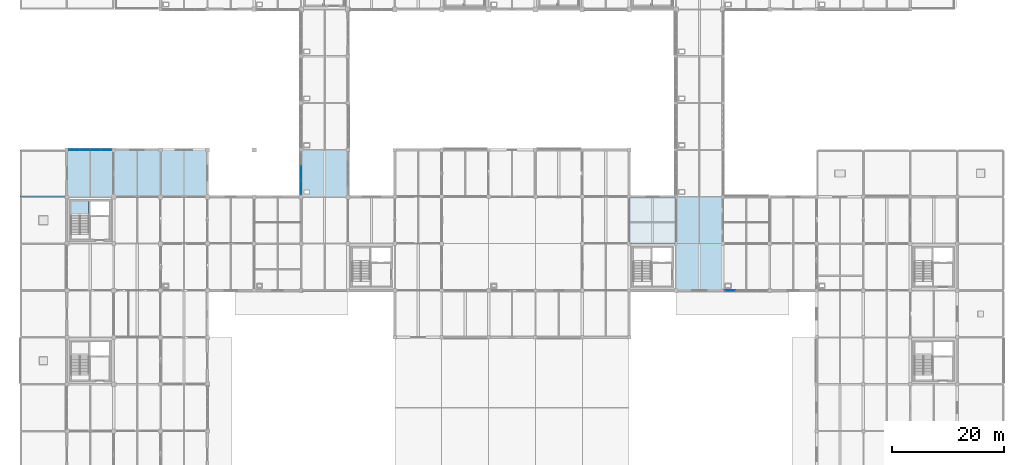
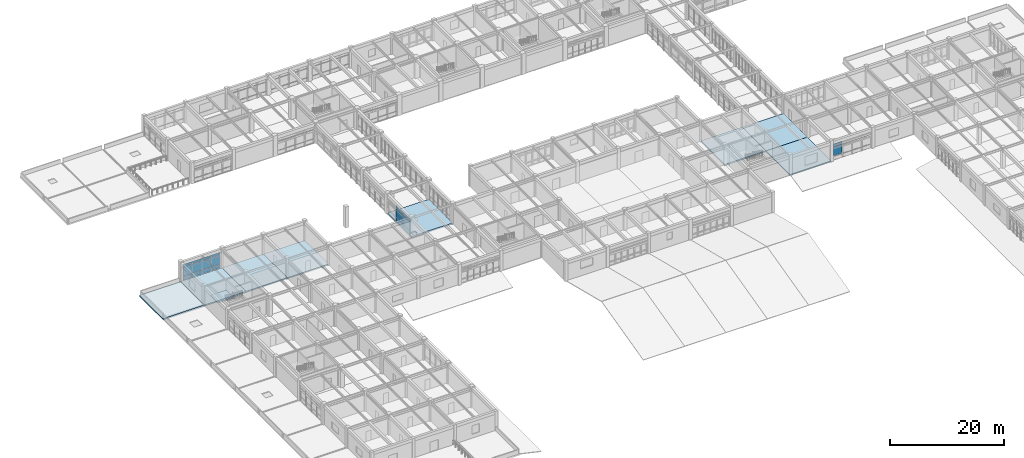
# One storey, part 45 of 78: 20 plates, 9 slabs, 4 elements without a shape of their own.
"""IFC4 building model written with IfcOpenShell, lengths in metres."""

import ifcopenshell
import ifcopenshell.guid

model = None  # the IFC model being written
_history = None  # IfcOwnerHistory: only IFC2X3 demands one
_inside = {}  # id of a spatial element -> (the spatial element, [elements in it])
_under = {}  # id of a project, library or spatial element -> (it, [spatial elements below it])
_declared = {}  # id of a project -> (the project, [libraries it declares])
_typed = {}  # id of a type object -> (the type object, [elements of that type])
_made_of = {}  # id of a material, layer set ... -> (it, [elements and type objects made of it])


def new_model(schema):
    """Start an empty IFC model of exactly this schema.

    Asked for "IFC4X3", IfcOpenShell would pick the latest addendum, in which some entities
    have other attributes; the version numbers below select the first issue.
    IFC2X3 requires an IfcOwnerHistory on every rooted entity: one is made here for all.
    """
    global model, _history
    if schema == "IFC4X3":
        model = ifcopenshell.file(schema_version=(4, 3, 0, 0))
    else:
        model = ifcopenshell.file(schema=schema)
    _inside.clear()
    _under.clear()
    _declared.clear()
    _typed.clear()
    _made_of.clear()
    _history = None
    if model.schema == "IFC2X3":
        org = make("IfcOrganization", Name="unknown")
        user = make(
            "IfcPersonAndOrganization",
            ThePerson=make("IfcPerson", FamilyName="unknown"),
            TheOrganization=org,
        )
        app = make(
            "IfcApplication",
            ApplicationDeveloper=org,
            Version="unknown",
            ApplicationFullName="unknown",
            ApplicationIdentifier="unknown",
        )
        _history = make(
            "IfcOwnerHistory",
            OwningUser=user,
            OwningApplication=app,
            ChangeAction="ADDED",
            CreationDate=0,
        )
    return model


def make(cls, **values):
    """One entity of the class cls with the attributes given. An attribute that is None is left unset."""
    return model.create_entity(
        cls, **{name: value for name, value in values.items() if value is not None}
    )


def rooted(cls, **values):
    """An entity with a GlobalId (a new one), such as an element, a storey or a relation."""
    return make(cls, GlobalId=ifcopenshell.guid.new(), OwnerHistory=_history, **values)


def si_unit(unit_type, name, prefix=None):
    """IfcSIUnit, for example si_unit("LENGTHUNIT", "METRE", prefix="MILLI")."""
    return make("IfcSIUnit", UnitType=unit_type, Prefix=prefix, Name=name)


def assignment(units):
    """IfcUnitAssignment: the units of a project."""
    return None if units is None else make("IfcUnitAssignment", Units=units)


def point(xyz):
    """IfcCartesianPoint."""
    return None if xyz is None else make("IfcCartesianPoint", Coordinates=xyz)


def direction(xyz):
    """IfcDirection."""
    return None if xyz is None else make("IfcDirection", DirectionRatios=xyz)


def frame(location, z_axis=None, x_axis=None):
    """IfcAxis2Placement3D, a coordinate frame: its origin and axes. An axis left out is left unset."""
    return make(
        "IfcAxis2Placement3D",
        Location=point(location),
        Axis=direction(z_axis),
        RefDirection=direction(x_axis),
    )


def frame_2d(location, x_axis=None):
    """IfcAxis2Placement2D, a coordinate frame in the plane: its origin and x axis."""
    return make(
        "IfcAxis2Placement2D", Location=point(location), RefDirection=direction(x_axis)
    )


def origin():
    """The frame at (0, 0, 0) with its axes left unset."""
    return frame((0.0, 0.0, 0.0))


def origin_2d():
    """The frame at (0, 0) in the plane with its x axis left unset."""
    return frame_2d((0.0, 0.0))


def place(relative_to, where):
    """IfcLocalPlacement: puts the frame where relative to a parent placement (None: the world)."""
    return make(
        "IfcLocalPlacement", PlacementRelTo=relative_to, RelativePlacement=where
    )


def context(
    kind, dimensions, precision=None, world=None, true_north=None, identifier=None
):
    """IfcGeometricRepresentationContext, for example the 3D "Model" context."""
    return make(
        "IfcGeometricRepresentationContext",
        ContextIdentifier=identifier,
        ContextType=kind,
        CoordinateSpaceDimension=dimensions,
        Precision=precision,
        WorldCoordinateSystem=world,
        TrueNorth=true_north,
    )


def subcontext(parent, identifier, kind, view, scale=None):
    """IfcGeometricRepresentationSubContext, for example "Body" below "Model"."""
    return make(
        "IfcGeometricRepresentationSubContext",
        ContextIdentifier=identifier,
        ContextType=kind,
        ParentContext=parent,
        TargetScale=scale,
        TargetView=view,
    )


def project(units=None, contexts=None):
    """IfcProject with its units and contexts."""
    return rooted(
        "IfcProject",
        Name="project",
        RepresentationContexts=contexts,
        UnitsInContext=assignment(units),
    )


def spatial(cls, under=None, at=None, **own):
    """A site, building, storey or space (cls), placed at a placement, below another one or the project."""
    s = rooted(cls, ObjectPlacement=at, **own)
    if under is not None:
        _under.setdefault(under.id(), (under, []))[1].append(s)
    return s


def polyline(points):
    """IfcPolyline through the points."""
    return make("IfcPolyline", Points=[point(p) for p in points])


def profile(cls, at=None, kind="AREA", **sizes):
    """A parametric profile (cls). Its sizes go by their IFC names, for example OverallWidth=200.0."""
    return make(cls, ProfileType=kind, Position=at, **sizes)


def rectangle(**sizes):
    """IfcRectangleProfileDef."""
    return profile("IfcRectangleProfileDef", **sizes)


def outline(outer, holes=None, kind="AREA"):
    """IfcArbitraryClosedProfileDef: a profile drawn as a closed curve; with holes, ...WithVoids."""
    if holes is None:
        return make("IfcArbitraryClosedProfileDef", ProfileType=kind, OuterCurve=outer)
    return make(
        "IfcArbitraryProfileDefWithVoids",
        ProfileType=kind,
        OuterCurve=outer,
        InnerCurves=holes,
    )


def extrude(swept, where, along, depth):
    """IfcExtrudedAreaSolid: the profile swept, set in the frame where, extruded along a direction by depth."""
    return make(
        "IfcExtrudedAreaSolid",
        SweptArea=swept,
        Position=where,
        ExtrudedDirection=direction(along),
        Depth=depth,
    )


def shape(context_of_items, identifier, shape_type, items):
    """IfcShapeRepresentation: the items that make up one representation, for example the "Body"."""
    return make(
        "IfcShapeRepresentation",
        ContextOfItems=context_of_items,
        RepresentationIdentifier=identifier,
        RepresentationType=shape_type,
        Items=items,
    )


def material(Name=None, Category=None):
    """IfcMaterial."""
    return make("IfcMaterial", Name=Name, Category=Category)


def layer(
    of_material, thickness, ventilated=None, Name=None, Category=None, Priority=None
):
    """IfcMaterialLayer: one layer of a wall or slab, of a material (None: an air gap)."""
    return make(
        "IfcMaterialLayer",
        Material=of_material,
        LayerThickness=thickness,
        IsVentilated=ventilated,
        Name=Name,
        Category=Category,
        Priority=Priority,
    )


def layer_set(layers, Name=None):
    """IfcMaterialLayerSet."""
    return make("IfcMaterialLayerSet", MaterialLayers=layers, LayerSetName=Name)


def made_of(thing, what):
    """Note that an element or type object is made of a material, layer set ...; save() writes the relation."""
    if what is not None:
        _made_of.setdefault(what.id(), (what, []))[1].append(thing)
    return thing


def type_object(cls, material=None, **own):
    """A type object (cls), such as IfcWallType, which elements share."""
    return made_of(rooted(cls, **own), material)


def element(
    cls,
    number,
    at=None,
    inside=None,
    cuts=None,
    type_object=None,
    material=None,
    context=None,
    identifier="Body",
    shape_type=None,
    held_by="IfcProductDefinitionShape",
    body=None,
    shapes=None,
    **own,
):
    """One element of the class cls, such as IfcWall. Its Tag is "e" and its number.

    at: its placement. inside: the storey or other place that contains it. cuts: it is an
    opening in that element (IfcRelVoidsElement). A single representation is given by context,
    identifier, shape_type and body (its items); several are given by shapes. held_by: the class
    of the entity that holds the representations. save() writes the other relations.
    """
    e = rooted(cls, Tag="e%d" % number, ObjectPlacement=at, **own)
    if body is not None:
        shapes = [shape(context, identifier, shape_type, body)]
    if shapes is not None:
        e.Representation = make(held_by, Representations=shapes)
    if inside is not None:
        _inside.setdefault(inside.id(), (inside, []))[1].append(e)
    if cuts is not None:
        rooted(
            "IfcRelVoidsElement", RelatingBuildingElement=cuts, RelatedOpeningElement=e
        )
    if type_object is not None:
        _typed.setdefault(type_object.id(), (type_object, []))[1].append(e)
    return made_of(e, material)


def aggregate(whole, parts):
    """IfcRelAggregates: a whole, such as a stair, and the parts it consists of."""
    return rooted("IfcRelAggregates", RelatingObject=whole, RelatedObjects=parts)


def save(model, path):
    """Write the relations noted so far, then the file.

    IfcRelAggregates (storeys below a building ...), IfcRelContainedInSpatialStructure (elements
    in a storey), IfcRelDefinesByType, IfcRelAssociatesMaterial and IfcRelDeclares: one each for
    every whole, place, type object, material and project.
    """
    for whole, parts in _under.values():
        aggregate(whole, parts)
    for where, things in _inside.values():
        rooted(
            "IfcRelContainedInSpatialStructure",
            RelatedElements=things,
            RelatingStructure=where,
        )
    for kind, things in _typed.values():
        rooted("IfcRelDefinesByType", RelatedObjects=things, RelatingType=kind)
    for what, things in _made_of.values():
        rooted("IfcRelAssociatesMaterial", RelatedObjects=things, RelatingMaterial=what)
    for by, libraries in _declared.values():
        rooted("IfcRelDeclares", RelatingContext=by, RelatedDefinitions=libraries)
    model.write(path)


model = new_model("IFC4")

# Units and contexts
model_context = context("Model", 3, precision=1e-05, world=origin(), true_north=direction((0.0, 1.0)))
body_context = subcontext(model_context, "Body", "Model", "MODEL_VIEW")
ifc_project = project(units=[si_unit("LENGTHUNIT", "METRE"), si_unit("AREAUNIT", "SQUARE_METRE"), si_unit("VOLUMEUNIT", "CUBIC_METRE"), si_unit("PLANEANGLEUNIT", "RADIAN"), si_unit("MASSUNIT", "GRAM", prefix="KILO")], contexts=[model_context])

# Site, building, storey
site_placement = place(None, origin())
site = spatial("IfcSite", under=ifc_project, at=site_placement, CompositionType="ELEMENT")
building_placement = place(site_placement, origin())
building = spatial("IfcBuilding", under=site, at=building_placement, Name="Porcellanite Civic Hall", CompositionType="ELEMENT")
storey_placement = place(building_placement, frame((0.0, 0.0, 10.260009765625)))
storey = spatial("IfcBuildingStorey", under=building, at=storey_placement, Name="L02", CompositionType="ELEMENT", Elevation=10.260009765625)

# Curtain wall, plates
ifc_material_1 = material(Name="Anodised aluminium and solar laminated glass", Category="aluminium")
ifc_layer_1 = layer(ifc_material_1, 0.179931640625)
ifc_layer_set_1 = layer_set([ifc_layer_1], Name="Anodised aluminium and solar laminated glass")
curtain_wall_type_1 = type_object("IfcCurtainWallType", Name="CW-SYS06", PredefinedType="NOTDEFINED", material=ifc_layer_set_1)
curtain_wall_1_placement = place(storey_placement, origin())
curtain_wall_1 = element("IfcCurtainWall", 1, at=curtain_wall_1_placement, inside=storey, type_object=curtain_wall_type_1, Name="Curtain wall CW-170", PredefinedType="NOTDEFINED")
ifc_material_2 = material(Name="Cyclone laminated solar-control low-E glass", Category="glass")
ifc_layer_2 = layer(ifc_material_2, 0.02392578125)
ifc_layer_set_2 = layer_set([ifc_layer_2], Name="Cyclone laminated solar-control low-E glass")
plate_type_1 = type_object("IfcPlateType", Name="CWP-01", PredefinedType="CURTAIN_PANEL", material=ifc_layer_set_2)
plate_1_placement = place(storey_placement, frame((127.288818359375, 50.39990234375, 0.925048828125), z_axis=(0.0, 0.0, 1.0), x_axis=(-1.0, 0.0, 0.0)))
plate_1 = element("IfcPlate", 2, at=plate_1_placement, type_object=plate_type_1, Name="CW-170 panel 4.2", PredefinedType="CURTAIN_PANEL", context=body_context, shape_type="SweptSolid", body=[
    extrude(rectangle(XDim=1.845703125, YDim=0.02392578125, at=origin_2d()), origin(), (0.0, 0.0, 1.0), 1.93994140625),
])
plate_2_placement = place(storey_placement, frame((127.288818359375, 50.39990234375, 2.9150390625), z_axis=(0.0, 0.0, 1.0), x_axis=(-1.0, 0.0, 0.0)))
plate_2 = element("IfcPlate", 3, at=plate_2_placement, type_object=plate_type_1, Name="CW-170 panel 4.3", PredefinedType="CURTAIN_PANEL", context=body_context, shape_type="SweptSolid", body=[
    extrude(rectangle(XDim=1.845703125, YDim=0.02392578125, at=origin_2d()), origin(), (0.0, 0.0, 1.0), 0.574951171875),
])
aggregate(curtain_wall_1, [plate_1, plate_2])

ifc_material_3 = material(Name="Anodised aluminium and solar laminated glass", Category="aluminium")
ifc_layer_3 = layer(ifc_material_3, 0.179931640625)
ifc_layer_set_3 = layer_set([ifc_layer_3], Name="Anodised aluminium and solar laminated glass")
curtain_wall_type_2 = type_object("IfcCurtainWallType", Name="CW-SYS05", PredefinedType="NOTDEFINED", material=ifc_layer_set_3)
curtain_wall_2_placement = place(storey_placement, origin())
curtain_wall_2 = element("IfcCurtainWall", 4, at=curtain_wall_2_placement, inside=storey, type_object=curtain_wall_type_2, Name="Curtain wall CW-134", PredefinedType="NOTDEFINED")
ifc_material_4 = material(Name="Cyclone laminated solar-control low-E glass", Category="glass")
ifc_layer_4 = layer(ifc_material_4, 0.028076171875)
ifc_layer_set_4 = layer_set([ifc_layer_4], Name="Cyclone laminated solar-control low-E glass")
plate_type_2 = type_object("IfcPlateType", Name="CWP-03", PredefinedType="CURTAIN_PANEL", material=ifc_layer_set_4)
plate_3_placement = place(storey_placement, frame((9.752685546875, 75.60009765625, 0.06005859375), z_axis=(0.0, 0.0, 1.0), x_axis=(1.0, 0.0, 0.0)))
plate_3 = element("IfcPlate", 5, at=plate_3_placement, type_object=plate_type_2, Name="CW-134 panel 1.1", PredefinedType="CURTAIN_PANEL", context=body_context, shape_type="SweptSolid", body=[
    extrude(rectangle(XDim=1.813232421875, YDim=0.028076171875, at=origin_2d()), origin(), (0.0, 0.0, 1.0), 0.81005859375),
])
plate_4_placement = place(storey_placement, frame((9.752685546875, 75.60009765625, 0.93017578125), z_axis=(0.0, 0.0, 1.0), x_axis=(1.0, 0.0, 0.0)))
plate_4 = element("IfcPlate", 6, at=plate_4_placement, type_object=plate_type_2, Name="CW-134 panel 1.2", PredefinedType="CURTAIN_PANEL", context=body_context, shape_type="SweptSolid", body=[
    extrude(rectangle(XDim=1.813232421875, YDim=0.028076171875, at=origin_2d()), origin(), (0.0, 0.0, 1.0), 1.929931640625),
])
plate_5_placement = place(storey_placement, frame((9.752685546875, 75.60009765625, 2.919921875), z_axis=(0.0, 0.0, 1.0), x_axis=(1.0, 0.0, 0.0)))
plate_5 = element("IfcPlate", 7, at=plate_5_placement, type_object=plate_type_2, Name="CW-134 panel 1.3", PredefinedType="CURTAIN_PANEL", context=body_context, shape_type="SweptSolid", body=[
    extrude(rectangle(XDim=1.813232421875, YDim=0.028076171875, at=origin_2d()), origin(), (0.0, 0.0, 1.0), 0.56005859375),
])
plate_6_placement = place(storey_placement, frame((11.6533203125, 75.60009765625, 0.06005859375), z_axis=(0.0, 0.0, 1.0), x_axis=(1.0, 0.0, 0.0)))
plate_6 = element("IfcPlate", 8, at=plate_6_placement, type_object=plate_type_2, Name="CW-134 panel 2.1", PredefinedType="CURTAIN_PANEL", context=body_context, shape_type="SweptSolid", body=[
    extrude(rectangle(XDim=1.84814453125, YDim=0.028076171875, at=origin_2d()), origin(), (0.0, 0.0, 1.0), 0.81005859375),
])
plate_7_placement = place(storey_placement, frame((11.6533203125, 75.60009765625, 0.93017578125), z_axis=(0.0, 0.0, 1.0), x_axis=(1.0, 0.0, 0.0)))
plate_7 = element("IfcPlate", 9, at=plate_7_placement, type_object=plate_type_2, Name="CW-134 panel 2.2", PredefinedType="CURTAIN_PANEL", context=body_context, shape_type="SweptSolid", body=[
    extrude(rectangle(XDim=1.84814453125, YDim=0.028076171875, at=origin_2d()), origin(), (0.0, 0.0, 1.0), 1.929931640625),
])
plate_8_placement = place(storey_placement, frame((11.6533203125, 75.60009765625, 2.919921875), z_axis=(0.0, 0.0, 1.0), x_axis=(1.0, 0.0, 0.0)))
plate_8 = element("IfcPlate", 10, at=plate_8_placement, type_object=plate_type_2, Name="CW-134 panel 2.3", PredefinedType="CURTAIN_PANEL", context=body_context, shape_type="SweptSolid", body=[
    extrude(rectangle(XDim=1.84814453125, YDim=0.028076171875, at=origin_2d()), origin(), (0.0, 0.0, 1.0), 0.56005859375),
])
plate_9_placement = place(storey_placement, frame((13.571533203125, 75.60009765625, 0.06005859375), z_axis=(0.0, 0.0, 1.0), x_axis=(1.0, 0.0, 0.0)))
plate_9 = element("IfcPlate", 11, at=plate_9_placement, type_object=plate_type_2, Name="CW-134 panel 3.1", PredefinedType="CURTAIN_PANEL", context=body_context, shape_type="SweptSolid", body=[
    extrude(rectangle(XDim=1.84814453125, YDim=0.028076171875, at=origin_2d()), origin(), (0.0, 0.0, 1.0), 0.81005859375),
])
plate_10_placement = place(storey_placement, frame((13.571533203125, 75.60009765625, 0.93017578125), z_axis=(0.0, 0.0, 1.0), x_axis=(1.0, 0.0, 0.0)))
plate_10 = element("IfcPlate", 12, at=plate_10_placement, type_object=plate_type_2, Name="CW-134 panel 3.2", PredefinedType="CURTAIN_PANEL", context=body_context, shape_type="SweptSolid", body=[
    extrude(rectangle(XDim=1.84814453125, YDim=0.028076171875, at=origin_2d()), origin(), (0.0, 0.0, 1.0), 1.929931640625),
])
plate_11_placement = place(storey_placement, frame((13.571533203125, 75.60009765625, 2.919921875), z_axis=(0.0, 0.0, 1.0), x_axis=(1.0, 0.0, 0.0)))
plate_11 = element("IfcPlate", 13, at=plate_11_placement, type_object=plate_type_2, Name="CW-134 panel 3.3", PredefinedType="CURTAIN_PANEL", context=body_context, shape_type="SweptSolid", body=[
    extrude(rectangle(XDim=1.84814453125, YDim=0.028076171875, at=origin_2d()), origin(), (0.0, 0.0, 1.0), 0.56005859375),
])
plate_12_placement = place(storey_placement, frame((15.472412109375, 75.60009765625, 0.06005859375), z_axis=(0.0, 0.0, 1.0), x_axis=(1.0, 0.0, 0.0)))
plate_12 = element("IfcPlate", 14, at=plate_12_placement, type_object=plate_type_2, Name="CW-134 panel 4.1", PredefinedType="CURTAIN_PANEL", context=body_context, shape_type="SweptSolid", body=[
    extrude(rectangle(XDim=1.813232421875, YDim=0.028076171875, at=origin_2d()), origin(), (0.0, 0.0, 1.0), 0.81005859375),
])
plate_13_placement = place(storey_placement, frame((15.472412109375, 75.60009765625, 0.93017578125), z_axis=(0.0, 0.0, 1.0), x_axis=(1.0, 0.0, 0.0)))
plate_13 = element("IfcPlate", 15, at=plate_13_placement, type_object=plate_type_2, Name="CW-134 panel 4.2", PredefinedType="CURTAIN_PANEL", context=body_context, shape_type="SweptSolid", body=[
    extrude(rectangle(XDim=1.813232421875, YDim=0.028076171875, at=origin_2d()), origin(), (0.0, 0.0, 1.0), 1.929931640625),
])
plate_14_placement = place(storey_placement, frame((15.472412109375, 75.60009765625, 2.919921875), z_axis=(0.0, 0.0, 1.0), x_axis=(1.0, 0.0, 0.0)))
plate_14 = element("IfcPlate", 16, at=plate_14_placement, type_object=plate_type_2, Name="CW-134 panel 4.3", PredefinedType="CURTAIN_PANEL", context=body_context, shape_type="SweptSolid", body=[
    extrude(rectangle(XDim=1.813232421875, YDim=0.028076171875, at=origin_2d()), origin(), (0.0, 0.0, 1.0), 0.56005859375),
])
aggregate(curtain_wall_2, [plate_3, plate_4, plate_5, plate_6, plate_7, plate_8, plate_9, plate_10, plate_11, plate_12, plate_13, plate_14])

ifc_material_5 = material(Name="Anodised aluminium and solar laminated glass", Category="aluminium")
ifc_layer_5 = layer(ifc_material_5, 0.179931640625)
ifc_layer_set_5 = layer_set([ifc_layer_5], Name="Anodised aluminium and solar laminated glass")
curtain_wall_type_3 = type_object("IfcCurtainWallType", Name="CW-SYS08", PredefinedType="NOTDEFINED", material=ifc_layer_set_5)
curtain_wall_3_placement = place(storey_placement, origin())
curtain_wall_3 = element("IfcCurtainWall", 17, at=curtain_wall_3_placement, inside=storey, type_object=curtain_wall_type_3, Name="Curtain wall CW-142", PredefinedType="NOTDEFINED")
plate_15_placement = place(storey_placement, frame((50.39990234375, 68.874755859375, 0.070068359375), z_axis=(0.0, 0.0, 1.0), x_axis=(0.0, 1.0, 0.0)))
plate_15 = element("IfcPlate", 18, at=plate_15_placement, type_object=plate_type_2, Name="CW-142 panel 1.1", PredefinedType="CURTAIN_PANEL", context=body_context, shape_type="SweptSolid", body=[
    extrude(rectangle(XDim=2.437744140625, YDim=0.028076171875, at=origin_2d()), origin(), (0.0, 0.0, 1.0), 0.794921875),
])
plate_16_placement = place(storey_placement, frame((50.39990234375, 68.874755859375, 0.93505859375), z_axis=(0.0, 0.0, 1.0), x_axis=(0.0, 1.0, 0.0)))
plate_16 = element("IfcPlate", 19, at=plate_16_placement, type_object=plate_type_2, Name="CW-142 panel 1.2", PredefinedType="CURTAIN_PANEL", context=body_context, shape_type="SweptSolid", body=[
    extrude(rectangle(XDim=2.437744140625, YDim=0.028076171875, at=origin_2d()), origin(), (0.0, 0.0, 1.0), 1.919921875),
])
plate_17_placement = place(storey_placement, frame((50.39990234375, 68.874755859375, 2.925048828125), z_axis=(0.0, 0.0, 1.0), x_axis=(0.0, 1.0, 0.0)))
plate_17 = element("IfcPlate", 20, at=plate_17_placement, type_object=plate_type_2, Name="CW-142 panel 1.3", PredefinedType="CURTAIN_PANEL", context=body_context, shape_type="SweptSolid", body=[
    extrude(rectangle(XDim=2.437744140625, YDim=0.028076171875, at=origin_2d()), origin(), (0.0, 0.0, 1.0), 0.544921875),
])
plate_18_placement = place(storey_placement, frame((50.39990234375, 71.41259765625, 0.070068359375), z_axis=(0.0, 0.0, 1.0), x_axis=(0.0, 1.0, 0.0)))
plate_18 = element("IfcPlate", 21, at=plate_18_placement, type_object=plate_type_2, Name="CW-142 panel 2.1", PredefinedType="CURTAIN_PANEL", context=body_context, shape_type="SweptSolid", body=[
    extrude(rectangle(XDim=2.477783203125, YDim=0.028076171875, at=origin_2d()), origin(), (0.0, 0.0, 1.0), 0.794921875),
])
plate_19_placement = place(storey_placement, frame((50.39990234375, 71.41259765625, 0.93505859375), z_axis=(0.0, 0.0, 1.0), x_axis=(0.0, 1.0, 0.0)))
plate_19 = element("IfcPlate", 22, at=plate_19_placement, type_object=plate_type_2, Name="CW-142 panel 2.2", PredefinedType="CURTAIN_PANEL", context=body_context, shape_type="SweptSolid", body=[
    extrude(rectangle(XDim=2.477783203125, YDim=0.028076171875, at=origin_2d()), origin(), (0.0, 0.0, 1.0), 1.919921875),
])
plate_20_placement = place(storey_placement, frame((50.39990234375, 71.41259765625, 2.925048828125), z_axis=(0.0, 0.0, 1.0), x_axis=(0.0, 1.0, 0.0)))
plate_20 = element("IfcPlate", 23, at=plate_20_placement, type_object=plate_type_2, Name="CW-142 panel 2.3", PredefinedType="CURTAIN_PANEL", context=body_context, shape_type="SweptSolid", body=[
    extrude(rectangle(XDim=2.477783203125, YDim=0.028076171875, at=origin_2d()), origin(), (0.0, 0.0, 1.0), 0.544921875),
])
aggregate(curtain_wall_3, [plate_15, plate_16, plate_17, plate_18, plate_19, plate_20])

# Stair, slab
ifc_material_6 = material(Name="Concrete N40 (40 MPa)", Category="concrete")
stair_type = type_object("IfcStairType", Name="STR-HT25", PredefinedType="HALF_TURN_STAIR", material=ifc_material_6)
stair_placement = place(storey_placement, origin())
stair = element("IfcStair", 24, at=stair_placement, inside=storey, type_object=stair_type, Name="Fire stair ST-02 L02", PredefinedType="HALF_TURN_STAIR")
ifc_material_7 = material(Name="Concrete N40 (40 MPa)", Category="concrete")
ifc_layer_6 = layer(ifc_material_7, 0.179931640625)
ifc_layer_set_6 = layer_set([ifc_layer_6], Name="Concrete N40 (40 MPa)")
slab_type_1 = type_object("IfcSlabType", Name="LND-18", PredefinedType="LANDING", material=ifc_layer_set_6)
slab_1_placement = place(storey_placement, frame((0.0, 0.0, 2.159912109375)))
slab_1 = element("IfcSlab", 25, at=slab_1_placement, type_object=slab_type_1, Name="ST-02 landing 1", PredefinedType="LANDING", context=body_context, shape_type="SweptSolid", body=[
    extrude(outline(polyline([(9.160400390625, 63.824951171875), (12.319580078125, 63.824951171875), (12.319580078125, 66.439453125), (9.160400390625, 66.439453125), (9.160400390625, 63.824951171875)])), origin(), (0.0, 0.0, 1.0), 0.18017578125),
])
aggregate(stair, [slab_1])

# Slabs
ifc_material_8 = material(Name="Concrete N40 (40 MPa)", Category="concrete")
ifc_layer_7 = layer(ifc_material_8, 0.280029296875)
ifc_layer_set_7 = layer_set([ifc_layer_7], Name="Concrete N40 (40 MPa)")
slab_type_2 = type_object("IfcSlabType", Name="SL-FL280", PredefinedType="FLOOR", material=ifc_layer_set_7)
slab_2_placement = place(storey_placement, frame((0.0, 0.0, -0.280029296875)))
element("IfcSlab", 26, at=slab_2_placement, inside=storey, type_object=slab_type_2, Name="Slab L02 bay 2-9", PredefinedType="FLOOR", context=body_context, shape_type="SweptSolid", body=[
    extrude(outline(polyline([(8.39990234375, 67.199951171875), (16.800048828125, 67.199951171875), (16.800048828125, 75.60009765625), (8.39990234375, 75.60009765625), (8.39990234375, 67.199951171875)])), origin(), (0.0, 0.0, 1.0), 0.280029296875),
])
slab_3_placement = place(storey_placement, frame((0.0, 0.0, -0.280029296875)))
element("IfcSlab", 27, at=slab_3_placement, inside=storey, type_object=slab_type_2, Name="Slab L02 bay 3-9", PredefinedType="FLOOR", context=body_context, shape_type="SweptSolid", body=[
    extrude(outline(polyline([(16.800048828125, 67.199951171875), (25.199951171875, 67.199951171875), (25.199951171875, 75.60009765625), (16.800048828125, 75.60009765625), (16.800048828125, 67.199951171875)])), origin(), (0.0, 0.0, 1.0), 0.280029296875),
])
slab_4_placement = place(storey_placement, frame((0.0, 0.0, -0.280029296875)))
element("IfcSlab", 28, at=slab_4_placement, inside=storey, type_object=slab_type_2, Name="Slab L02 bay 4-9", PredefinedType="FLOOR", context=body_context, shape_type="SweptSolid", body=[
    extrude(outline(polyline([(25.199951171875, 67.199951171875), (33.60009765625, 67.199951171875), (33.60009765625, 75.60009765625), (25.199951171875, 75.60009765625), (25.199951171875, 67.199951171875)])), origin(), (0.0, 0.0, 1.0), 0.280029296875),
])
slab_5_placement = place(storey_placement, frame((0.0, 0.0, -0.280029296875)))
element("IfcSlab", 29, at=slab_5_placement, inside=storey, type_object=slab_type_2, Name="Slab L02 bay 7-9", PredefinedType="FLOOR", context=body_context, shape_type="SweptSolid", body=[
    extrude(outline(polyline([(50.39990234375, 67.199951171875), (58.800048828125, 67.199951171875), (58.800048828125, 75.60009765625), (50.39990234375, 75.60009765625), (50.39990234375, 67.199951171875)]), holes=[polyline([(50.949951171875, 67.75), (51.85009765625, 67.75), (51.85009765625, 68.35009765625), (50.949951171875, 68.35009765625), (50.949951171875, 67.75)])]), origin(), (0.0, 0.0, 1.0), 0.280029296875),
])
slab_6_placement = place(storey_placement, frame((0.0, 0.0, -0.280029296875)))
element("IfcSlab", 30, at=slab_6_placement, inside=storey, type_object=slab_type_2, Name="Slab L02 bay 14-8", PredefinedType="FLOOR", context=body_context, shape_type="SweptSolid", body=[
    extrude(outline(polyline([(109.199951171875, 58.800048828125), (117.60009765625, 58.800048828125), (117.60009765625, 67.199951171875), (109.199951171875, 67.199951171875), (109.199951171875, 58.800048828125)])), origin(), (0.0, 0.0, 1.0), 0.280029296875),
])
slab_7_placement = place(storey_placement, frame((0.0, 0.0, -0.280029296875)))
element("IfcSlab", 31, at=slab_7_placement, inside=storey, type_object=slab_type_2, Name="Slab L02 bay 15-7", PredefinedType="FLOOR", context=body_context, shape_type="SweptSolid", body=[
    extrude(outline(polyline([(117.60009765625, 50.39990234375), (126.0, 50.39990234375), (126.0, 58.800048828125), (117.60009765625, 58.800048828125), (117.60009765625, 50.39990234375)])), origin(), (0.0, 0.0, 1.0), 0.280029296875),
])
slab_8_placement = place(storey_placement, frame((0.0, 0.0, -0.280029296875)))
element("IfcSlab", 32, at=slab_8_placement, inside=storey, type_object=slab_type_2, Name="Slab L02 bay 15-8", PredefinedType="FLOOR", context=body_context, shape_type="SweptSolid", body=[
    extrude(outline(polyline([(117.60009765625, 58.800048828125), (126.0, 58.800048828125), (126.0, 67.199951171875), (117.60009765625, 67.199951171875), (117.60009765625, 58.800048828125)])), origin(), (0.0, 0.0, 1.0), 0.280029296875),
])
ifc_material_9 = material(Name="Concrete N40 (40 MPa)", Category="concrete")
ifc_layer_8 = layer(ifc_material_9, 0.300048828125)
ifc_layer_set_8 = layer_set([ifc_layer_8], Name="Concrete N40 (40 MPa)")
slab_type_3 = type_object("IfcSlabType", Name="SL-RF300", PredefinedType="ROOF", material=ifc_layer_set_8)
slab_9_placement = place(storey_placement, frame((0.0, 0.0, -0.300048828125)))
element("IfcSlab", 33, at=slab_9_placement, inside=storey, type_object=slab_type_3, Name="Roof slab L02 1-9", PredefinedType="ROOF", context=body_context, shape_type="SweptSolid", body=[
    extrude(outline(polyline([(0.0, 67.199951171875), (8.39990234375, 67.199951171875), (8.39990234375, 75.60009765625), (0.0, 75.60009765625), (0.0, 67.199951171875)])), origin(), (0.0, 0.0, 1.0), 0.300048828125),
])

save(model, "model.ifc")
